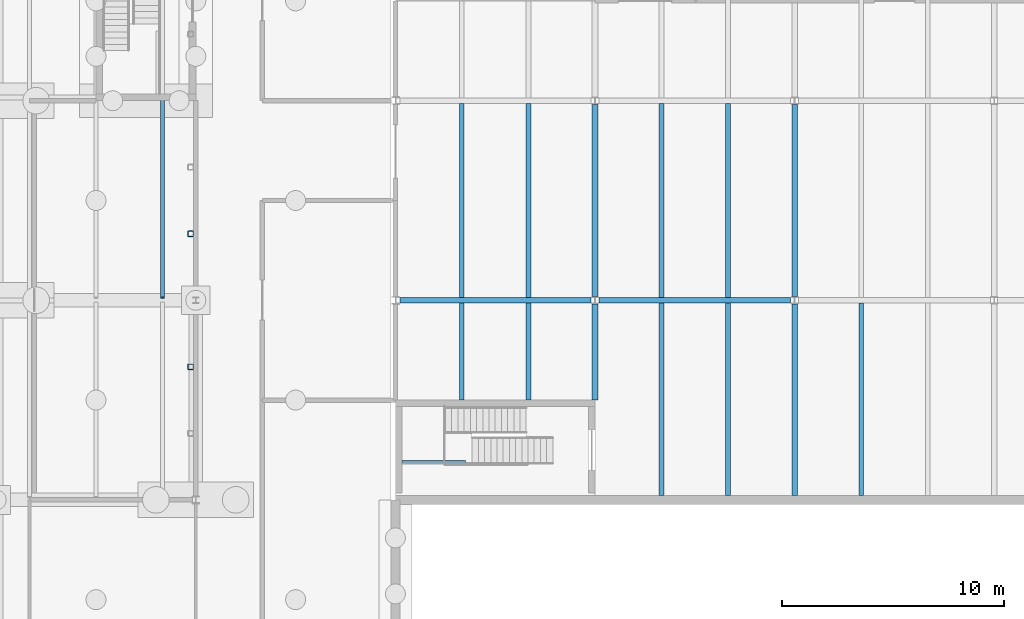
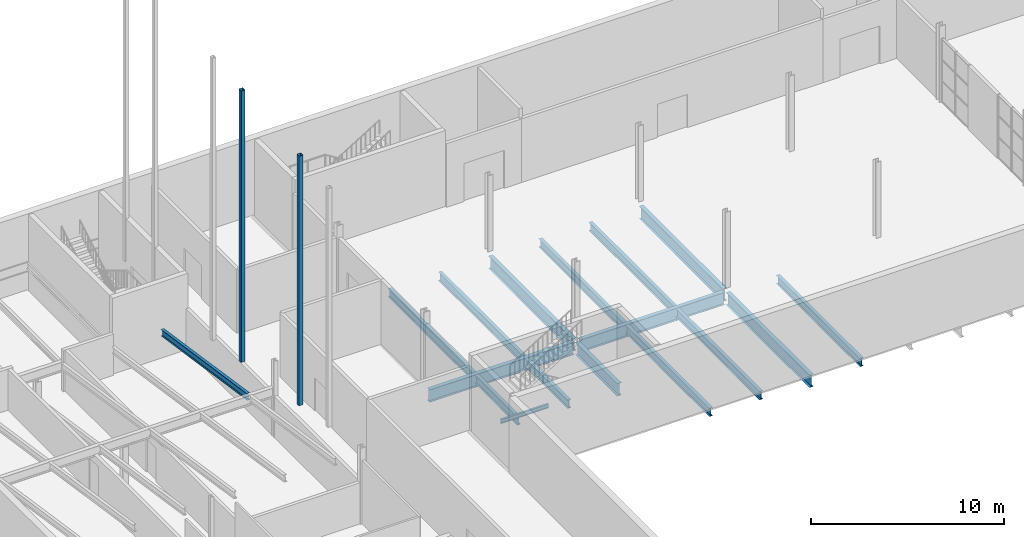
# One storey, part 9 of 31: 17 beams, 2 members.
"""IFC4 building model written with IfcOpenShell, lengths in metres."""

from ifc_helpers import new_model, si_unit, direction, frame, origin, origin_2d, place, context, subcontext, project, spatial, hollow_rectangle, i_section, extrude, material, material_profile, profile_set, type_object, element, save


model = new_model("IFC4")

# Units and contexts
model_context = context("Model", 3, precision=1e-05, world=origin(), true_north=direction((0.0, 1.0)))
body_context = subcontext(model_context, "Body", "Model", "MODEL_VIEW")
ifc_project = project(units=[si_unit("LENGTHUNIT", "METRE"), si_unit("AREAUNIT", "SQUARE_METRE"), si_unit("VOLUMEUNIT", "CUBIC_METRE"), si_unit("PLANEANGLEUNIT", "RADIAN"), si_unit("MASSUNIT", "GRAM", prefix="KILO")], contexts=[model_context])

# Site, building, storey
site_placement = place(None, origin())
site = spatial("IfcSite", under=ifc_project, at=site_placement, CompositionType="ELEMENT")
building_placement = place(site_placement, origin())
building = spatial("IfcBuilding", under=site, at=building_placement, Name="Halyard Row Museum", CompositionType="ELEMENT")
storey_placement = place(building_placement, frame((0.0, 0.0, -4.800048828125)))
storey = spatial("IfcBuildingStorey", under=building, at=storey_placement, Name="B1", CompositionType="ELEMENT", Elevation=-4.800048828125)

# Members
ifc_material_1 = material(Name="Steel Grade C350L0", Category="steel")
ifc_material_profile_1 = material_profile(ifc_material_1, hollow_rectangle(XDim=0.25, YDim=0.25, WallThickness=0.012451171875, InnerFilletRadius=0.018798828125, OuterFilletRadius=0.03125, at=origin_2d()), Name="250x250x12.5SHS")
ifc_profile_set_1 = profile_set([ifc_material_profile_1], Name="Steel Grade C350L0")
member_type = type_object("IfcMemberType", Name="Acoustic wall post 250x250x12.5SHS", PredefinedType="POST", material=ifc_profile_set_1)
member_1_placement = place(storey_placement, frame((17.76953125, 24.0, 3.900146484375), z_axis=(0.0, 0.0, 1.0), x_axis=(1.0, 0.0, 0.0)))
element("IfcMember", 1, at=member_1_placement, inside=storey, type_object=member_type, Name="Acoustic post east wall y 24", PredefinedType="POST", context=body_context, shape_type="SweptSolid", body=[
    extrude(hollow_rectangle(XDim=0.25, YDim=0.25, WallThickness=0.012451171875, InnerFilletRadius=0.018798828125, OuterFilletRadius=0.03125, at=origin_2d()), origin(), (0.0, 0.0, 1.0), 15.7705078125),
])
member_2_placement = place(storey_placement, frame((17.76953125, 30.0, 3.0), z_axis=(0.0, 0.0, 1.0), x_axis=(1.0, 0.0, 0.0)))
element("IfcMember", 2, at=member_2_placement, inside=storey, type_object=member_type, Name="Acoustic post east wall y 30", PredefinedType="POST", context=body_context, shape_type="SweptSolid", body=[
    extrude(hollow_rectangle(XDim=0.25, YDim=0.25, WallThickness=0.012451171875, InnerFilletRadius=0.018798828125, OuterFilletRadius=0.03125, at=origin_2d()), origin(), (0.0, 0.0, 1.0), 17.150634765625),
])

# Beams
ifc_material_2 = material(Name="Steel Grade 300", Category="steel")
ifc_material_profile_2 = material_profile(ifc_material_2, i_section(OverallWidth=0.177978515625, OverallDepth=0.402587890625, WebThickness=0.007568359375, FlangeThickness=0.010986328125, FilletRadius=0.011474609375, at=origin_2d()), Name="410UB53.7")
ifc_profile_set_2 = profile_set([ifc_material_profile_2], Name="Steel Grade 300")
beam_type_1 = type_object("IfcBeamType", Name="Frame beam 410UB53.7 span 2", PredefinedType="BEAM", material=ifc_profile_set_2)
beam_1_placement = place(storey_placement, frame((16.5, 27.114013671875, 2.926025390625), z_axis=(0.0, 0.989077252695, -0.14739806037), x_axis=(-1.0, 0.0, 0.0)))
element("IfcBeam", 3, at=beam_1_placement, inside=storey, type_object=beam_type_1, Name="Rake beam x 16.5 span 2", PredefinedType="BEAM", context=body_context, shape_type="SweptSolid", body=[
    extrude(i_section(OverallWidth=0.177978515625, OverallDepth=0.402587890625, WebThickness=0.007568359375, FlangeThickness=0.010986328125, FilletRadius=0.011474609375, at=origin_2d()), origin(), (0.0, 0.0, 1.0), 9.0205078125),
])
ifc_material_3 = material(Name="Steel Grade 300", Category="steel")
ifc_material_profile_3 = material_profile(ifc_material_3, i_section(OverallWidth=0.25, OverallDepth=0.7919921875, WebThickness=0.010009765625, FlangeThickness=0.01611328125, at=origin_2d()), Name="800WB122")
ifc_profile_set_3 = profile_set([ifc_material_profile_3], Name="Steel Grade 300")
beam_type_2 = type_object("IfcBeamType", Name="Girder beam 800WB122 (lowered 85)", PredefinedType="BEAM", material=ifc_profile_set_3)
beam_2_placement = place(storey_placement, frame((27.199951171875, 27.0, -0.64599609375), z_axis=(1.0, 0.0, 0.0), x_axis=(0.0, 1.0, 0.0)))
element("IfcBeam", 4, at=beam_2_placement, inside=storey, type_object=beam_type_2, Name="Beam B1-001", PredefinedType="BEAM", context=body_context, shape_type="SweptSolid", body=[
    extrude(i_section(OverallWidth=0.25, OverallDepth=0.7919921875, WebThickness=0.010009765625, FlangeThickness=0.01611328125, at=origin_2d()), origin(), (0.0, 0.0, 1.0), 8.625),
])
beam_3_placement = place(storey_placement, frame((36.175048828125, 27.0, -0.64599609375), z_axis=(1.0, 0.0, 0.0), x_axis=(0.0, 1.0, 0.0)))
element("IfcBeam", 5, at=beam_3_placement, inside=storey, type_object=beam_type_2, Name="Beam B1-002", PredefinedType="BEAM", context=body_context, shape_type="SweptSolid", body=[
    extrude(i_section(OverallWidth=0.25, OverallDepth=0.7919921875, WebThickness=0.010009765625, FlangeThickness=0.01611328125, at=origin_2d()), origin(), (0.0, 0.0, 1.0), 8.64990234375),
])
beam_4_placement = place(storey_placement, frame((36.0, 22.5, -0.64599609375), z_axis=(0.0, 1.0, 0.0), x_axis=(-1.0, 0.0, 0.0)))
element("IfcBeam", 6, at=beam_4_placement, inside=storey, type_object=beam_type_2, Name="Beam B1-024", PredefinedType="BEAM", context=body_context, shape_type="SweptSolid", body=[
    extrude(i_section(OverallWidth=0.25, OverallDepth=0.7919921875, WebThickness=0.010009765625, FlangeThickness=0.01611328125, at=origin_2d()), origin(), (0.0, 0.0, 1.0), 4.33056640625),
])
beam_5_placement = place(storey_placement, frame((36.0, 27.16943359375, -0.64599609375), z_axis=(0.0, 1.0, 0.0), x_axis=(-1.0, 0.0, 0.0)))
element("IfcBeam", 7, at=beam_5_placement, inside=storey, type_object=beam_type_2, Name="Beam B1-025", PredefinedType="BEAM", context=body_context, shape_type="SweptSolid", body=[
    extrude(i_section(OverallWidth=0.25, OverallDepth=0.7919921875, WebThickness=0.010009765625, FlangeThickness=0.01611328125, at=origin_2d()), origin(), (0.0, 0.0, 1.0), 8.6611328125),
])
beam_6_placement = place(storey_placement, frame((45.0, 18.199951171875, -0.64599609375), z_axis=(0.0, 1.0, 0.0), x_axis=(-1.0, 0.0, 0.0)))
element("IfcBeam", 8, at=beam_6_placement, inside=storey, type_object=beam_type_2, Name="Beam B1-027", PredefinedType="BEAM", context=body_context, shape_type="SweptSolid", body=[
    extrude(i_section(OverallWidth=0.25, OverallDepth=0.7919921875, WebThickness=0.010009765625, FlangeThickness=0.01611328125, at=origin_2d()), origin(), (0.0, 0.0, 1.0), 8.630615234375),
])
beam_7_placement = place(storey_placement, frame((45.0, 27.16943359375, -0.64599609375), z_axis=(0.0, 1.0, 0.0), x_axis=(-1.0, 0.0, 0.0)))
element("IfcBeam", 9, at=beam_7_placement, inside=storey, type_object=beam_type_2, Name="Beam B1-028", PredefinedType="BEAM", context=body_context, shape_type="SweptSolid", body=[
    extrude(i_section(OverallWidth=0.25, OverallDepth=0.7919921875, WebThickness=0.010009765625, FlangeThickness=0.01611328125, at=origin_2d()), origin(), (0.0, 0.0, 1.0), 8.6611328125),
])
ifc_material_4 = material(Name="Steel Grade 300", Category="steel")
ifc_material_profile_4 = material_profile(ifc_material_4, i_section(OverallWidth=0.1240234375, OverallDepth=0.248046875, WebThickness=0.0048828125, FlangeThickness=0.008056640625, FilletRadius=0.011962890625, at=origin_2d()), Name="250UB25.7")
ifc_profile_set_4 = profile_set([ifc_material_profile_4], Name="Steel Grade 300")
beam_type_3 = type_object("IfcBeamType", Name="Landing trimmer 250UB25.7", PredefinedType="BEAM", material=ifc_profile_set_4)
beam_8_placement = place(storey_placement, frame((27.297119140625, 19.721923828125, 2.075927734375), z_axis=(1.0, 0.0, 0.0), x_axis=(0.0, 1.0, 0.0)))
element("IfcBeam", 10, at=beam_8_placement, inside=storey, type_object=beam_type_3, Name="Landing ledger K1D B1 1", PredefinedType="BEAM", context=body_context, shape_type="SweptSolid", body=[
    extrude(i_section(OverallWidth=0.1240234375, OverallDepth=0.248046875, WebThickness=0.0048828125, FlangeThickness=0.008056640625, FilletRadius=0.011962890625, at=origin_2d()), origin(), (0.0, 0.0, 1.0), 2.852783203125),
])
ifc_material_5 = material(Name="Steel Grade 300", Category="steel")
ifc_material_profile_5 = material_profile(ifc_material_5, i_section(OverallWidth=0.208984375, OverallDepth=0.5283203125, WebThickness=0.009521484375, FlangeThickness=0.01318359375, FilletRadius=0.013916015625, at=origin_2d()), Name="530UB82.0")
ifc_profile_set_5 = profile_set([ifc_material_profile_5], Name="Steel Grade 300")
beam_type_4 = type_object("IfcBeamType", Name="Secondary beam 530UB82.0 (lowered 85)", PredefinedType="BEAM", material=ifc_profile_set_5)
for number, where, z_axis, x_axis, name in (
    (11, (39.0, 18.199951171875, -0.51416015625), (0.0, 1.0, 0.0), (-1.0, 0.0, 0.0), "Beam B1-050"),
    (12, (42.0, 18.199951171875, -0.51416015625), (0.0, 1.0, 0.0), (-1.0, 0.0, 0.0), "Beam B1-051"),
    (13, (48.0, 18.199951171875, -0.51416015625), (0.0, 1.0, 0.0), (-1.0, 0.0, 0.0), "Beam B1-052"),
):
    element("IfcBeam", number, at=place(storey_placement, frame(where, z_axis=z_axis, x_axis=x_axis)), inside=storey, type_object=beam_type_4, Name=name, PredefinedType="BEAM", context=body_context, shape_type="SweptSolid", body=[
        extrude(i_section(OverallWidth=0.208984375, OverallDepth=0.5283203125, WebThickness=0.009521484375, FlangeThickness=0.01318359375, FilletRadius=0.013916015625, at=origin_2d()), origin(), (0.0, 0.0, 1.0), 8.675048828125),
    ])
for number, where, z_axis, x_axis, name in (
    (14, (30.0, 22.5, -0.51416015625), (0.0, 1.0, 0.0), (-1.0, 0.0, 0.0), "Beam B1-064"),
    (15, (33.0, 22.5, -0.51416015625), (0.0, 1.0, 0.0), (-1.0, 0.0, 0.0), "Beam B1-065"),
):
    element("IfcBeam", number, at=place(storey_placement, frame(where, z_axis=z_axis, x_axis=x_axis)), inside=storey, type_object=beam_type_4, Name=name, PredefinedType="BEAM", context=body_context, shape_type="SweptSolid", body=[
        extrude(i_section(OverallWidth=0.208984375, OverallDepth=0.5283203125, WebThickness=0.009521484375, FlangeThickness=0.01318359375, FilletRadius=0.013916015625, at=origin_2d()), origin(), (0.0, 0.0, 1.0), 4.375),
    ])
for number, where, z_axis, x_axis, name in (
    (16, (30.0, 27.125, -0.51416015625), (0.0, 1.0, 0.0), (-1.0, 0.0, 0.0), "Beam B1-068"),
    (17, (33.0, 27.125, -0.51416015625), (0.0, 1.0, 0.0), (-1.0, 0.0, 0.0), "Beam B1-069"),
    (18, (39.0, 27.125, -0.51416015625), (0.0, 1.0, 0.0), (-1.0, 0.0, 0.0), "Beam B1-070"),
    (19, (42.0, 27.125, -0.51416015625), (0.0, 1.0, 0.0), (-1.0, 0.0, 0.0), "Beam B1-071"),
):
    element("IfcBeam", number, at=place(storey_placement, frame(where, z_axis=z_axis, x_axis=x_axis)), inside=storey, type_object=beam_type_4, Name=name, PredefinedType="BEAM", context=body_context, shape_type="SweptSolid", body=[
        extrude(i_section(OverallWidth=0.208984375, OverallDepth=0.5283203125, WebThickness=0.009521484375, FlangeThickness=0.01318359375, FilletRadius=0.013916015625, at=origin_2d()), origin(), (0.0, 0.0, 1.0), 8.75),
    ])

save(model, "model.ifc")
